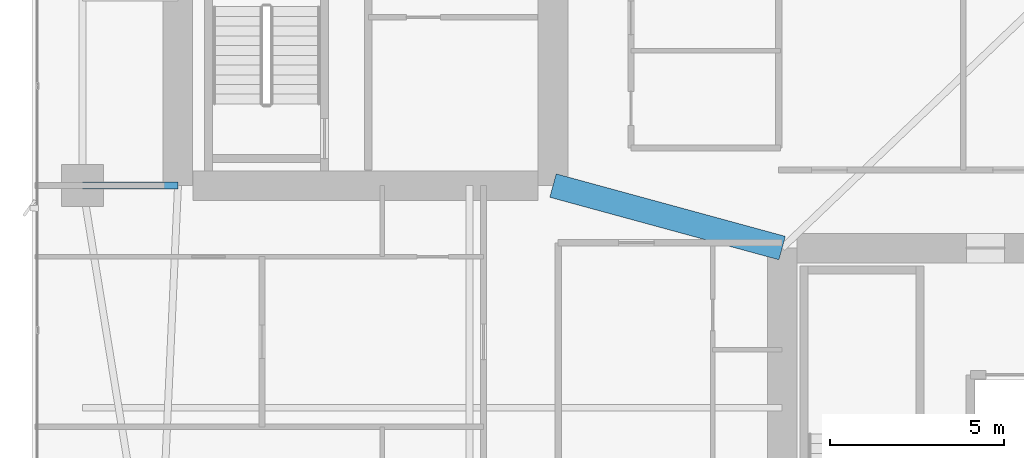
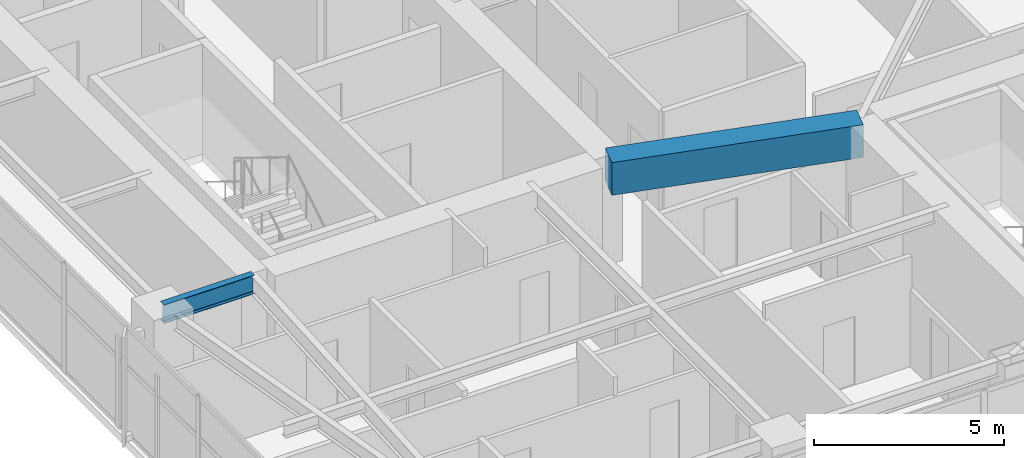
# One storey, part 7 of 28: 2 beams.
"""IFC4 building model written with IfcOpenShell, lengths in metres."""

from ifc_helpers import new_model, si_unit, direction, frame, origin, origin_2d, place, context, subcontext, project, spatial, rectangle, i_section, extrude, material, material_profile, profile_set, type_object, element, save


model = new_model("IFC4")

# Units and contexts
model_context = context("Model", 3, precision=1e-05, world=origin(), true_north=direction((0.0, 1.0)))
body_context = subcontext(model_context, "Body", "Model", "MODEL_VIEW")
ifc_project = project(units=[si_unit("LENGTHUNIT", "METRE"), si_unit("AREAUNIT", "SQUARE_METRE"), si_unit("VOLUMEUNIT", "CUBIC_METRE"), si_unit("PLANEANGLEUNIT", "RADIAN"), si_unit("MASSUNIT", "GRAM", prefix="KILO")], contexts=[model_context])

# Site, building, storey
site_placement = place(None, origin())
site = spatial("IfcSite", under=ifc_project, at=site_placement, CompositionType="ELEMENT")
building_placement = place(site_placement, origin())
building = spatial("IfcBuilding", under=site, at=building_placement, Name="Calvorn Quay Hotel", CompositionType="ELEMENT")
storey_placement = place(building_placement, frame((0.0, 0.0, 182.699951171875)))
storey = spatial("IfcBuildingStorey", under=building, at=storey_placement, Name="L45", CompositionType="ELEMENT", Elevation=182.699951171875)

# Beams
ifc_material_1 = material(Name="Steel Q355B", Category="steel")
ifc_material_profile_1 = material_profile(ifc_material_1, i_section(OverallWidth=0.199951171875, OverallDepth=0.60009765625, WebThickness=0.010986328125, FlangeThickness=0.01708984375, FilletRadius=0.01806640625, at=origin_2d()), Name="HN600x200x11x17")
ifc_profile_set_1 = profile_set([ifc_material_profile_1], Name="Steel Q355B")
beam_type_1 = type_object("IfcBeamType", Name="BM-GIRD-TYP", PredefinedType="BEAM", material=ifc_profile_set_1)
beam_1_placement = place(storey_placement, frame((1.449951171875, 16.800048828125, 3.219970703125), z_axis=(1.0, 0.0, 0.0), x_axis=(0.0, 1.0, 0.0)))
element("IfcBeam", 1, at=beam_1_placement, inside=storey, type_object=beam_type_1, Name="Beam BG-L45-W1", PredefinedType="BEAM", context=body_context, shape_type="SweptSolid", body=[
    extrude(i_section(OverallWidth=0.199951171875, OverallDepth=0.60009765625, WebThickness=0.010986328125, FlangeThickness=0.01708984375, FilletRadius=0.01806640625, at=origin_2d()), origin(), (0.0, 0.0, 1.0), 2.75),
])
ifc_material_2 = material(Name="Concrete C50", Category="concrete")
ifc_material_profile_2 = material_profile(ifc_material_2, rectangle(XDim=0.699951171875, YDim=1.050048828125, at=origin_2d()), Name="RCB700x1050")
ifc_profile_set_2 = profile_set([ifc_material_profile_2], Name="Concrete C50")
beam_type_2 = type_object("IfcBeamType", Name="BM-RC-LINK-700x1050", PredefinedType="BEAM", material=ifc_profile_set_2)
beam_2_placement = place(storey_placement, frame((15.0, 16.800048828125, 2.9951171875), z_axis=(0.964762997686, -0.263120425462, 0.0), x_axis=(0.263120425462, 0.964762997686, 0.0)))
element("IfcBeam", 2, at=beam_2_placement, inside=storey, type_object=beam_type_2, Name="Beam BCL-L45-01", PredefinedType="BEAM", context=body_context, shape_type="SweptSolid", body=[
    extrude(rectangle(XDim=0.699951171875, YDim=1.050048828125, at=origin_2d()), origin(), (0.0, 0.0, 1.0), 6.841064453125),
])

save(model, "model.ifc")
